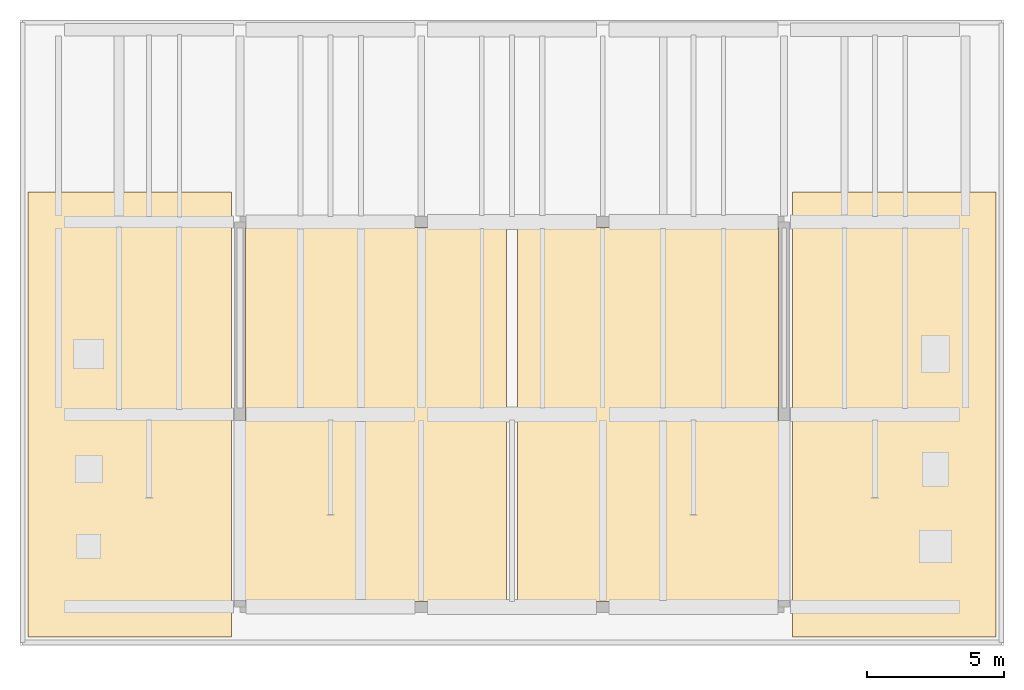
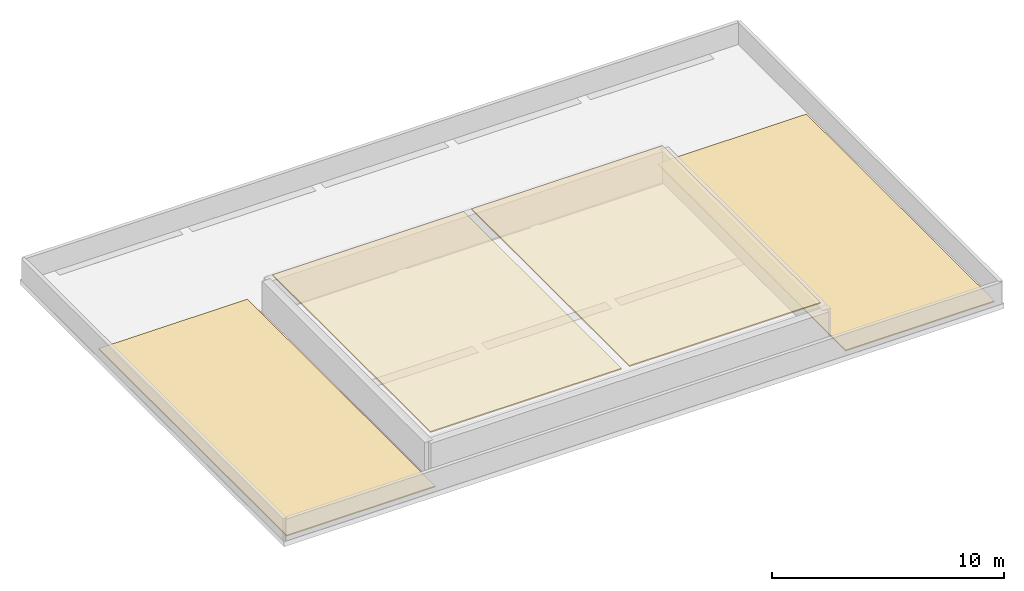
# One storey, part 6 of 6: 4 coverings.
"""IFC4 building model written with IfcOpenShell, lengths in metres."""

from ifc_helpers import new_model, si_unit, direction, frame, origin, place, context, subcontext, project, spatial, polyline, outline, extrude, material, layer, layer_set, type_object, element, save


model = new_model("IFC4")

# Units and contexts
model_context = context("Model", 3, precision=1e-05, world=origin(), true_north=direction((0.0, 1.0)))
body_context = subcontext(model_context, "Body", "Model", "MODEL_VIEW")
ifc_project = project(units=[si_unit("LENGTHUNIT", "METRE"), si_unit("AREAUNIT", "SQUARE_METRE"), si_unit("VOLUMEUNIT", "CUBIC_METRE"), si_unit("PLANEANGLEUNIT", "RADIAN"), si_unit("MASSUNIT", "GRAM", prefix="KILO")], contexts=[model_context])

# Site, building, storey
site_placement = place(None, origin())
site = spatial("IfcSite", under=ifc_project, at=site_placement, CompositionType="ELEMENT")
building_placement = place(site_placement, origin())
building = spatial("IfcBuilding", under=site, at=building_placement, Name="Ciguamira Faculty of Natural Sciences", CompositionType="ELEMENT")
storey_placement = place(building_placement, frame((0.0, 0.0, 50.39990234375)))
storey = spatial("IfcBuildingStorey", under=building, at=storey_placement, Name="Roof", CompositionType="ELEMENT", Elevation=50.39990234375)

# Coverings
ifc_material = material(Name="Reflective slate waterproof roof membrane", Category="masonry")
ifc_layer = layer(ifc_material, 0.06005859375, Name="Reflective slate waterproof roof membrane")
ifc_layer_set = layer_set([ifc_layer], Name="Reflective slate waterproof roof membrane")
covering_type = type_object("IfcCoveringType", Name="Roofing_RF01", PredefinedType="ROOFING", material=ifc_layer_set)
covering_1_placement = place(storey_placement, origin())
element("IfcCovering", 1, at=covering_1_placement, inside=storey, type_object=covering_type, Name="Roof waterproof roofing membrane 01", PredefinedType="ROOFING", context=body_context, shape_type="SweptSolid", body=[
    extrude(outline(polyline([(69.39990234375, 92.89990234375), (76.800048828125, 92.89990234375), (76.800048828125, 109.10009765625), (69.39990234375, 109.10009765625), (69.39990234375, 92.89990234375)])), origin(), (0.0, 0.0, 1.0), 0.06005859375),
])
covering_2_placement = place(storey_placement, origin())
element("IfcCovering", 2, at=covering_2_placement, inside=storey, type_object=covering_type, Name="Roof waterproof roofing membrane 02", PredefinedType="ROOFING", context=body_context, shape_type="SweptSolid", body=[
    extrude(outline(polyline([(97.199951171875, 92.89990234375), (104.60009765625, 92.89990234375), (104.60009765625, 109.10009765625), (97.199951171875, 109.10009765625), (97.199951171875, 92.89990234375)])), origin(), (0.0, 0.0, 1.0), 0.06005859375),
])
covering_3_placement = place(storey_placement, frame((0.0, 0.0, 1.900146484375)))
element("IfcCovering", 3, at=covering_3_placement, inside=storey, type_object=covering_type, Name="Roof waterproof roofing membrane 05", PredefinedType="ROOFING", context=body_context, shape_type="SweptSolid", body=[
    extrude(outline(polyline([(77.300048828125, 94.199951171875), (86.800048828125, 94.199951171875), (86.800048828125, 107.800048828125), (77.300048828125, 107.800048828125), (77.300048828125, 94.199951171875)])), origin(), (0.0, 0.0, 1.0), 0.06005859375),
])
covering_4_placement = place(storey_placement, frame((0.0, 0.0, 1.900146484375)))
element("IfcCovering", 4, at=covering_4_placement, inside=storey, type_object=covering_type, Name="Roof waterproof roofing membrane 06", PredefinedType="ROOFING", context=body_context, shape_type="SweptSolid", body=[
    extrude(outline(polyline([(87.199951171875, 94.199951171875), (96.699951171875, 94.199951171875), (96.699951171875, 107.800048828125), (87.199951171875, 107.800048828125), (87.199951171875, 94.199951171875)])), origin(), (0.0, 0.0, 1.0), 0.06005859375),
])

save(model, "model.ifc")
